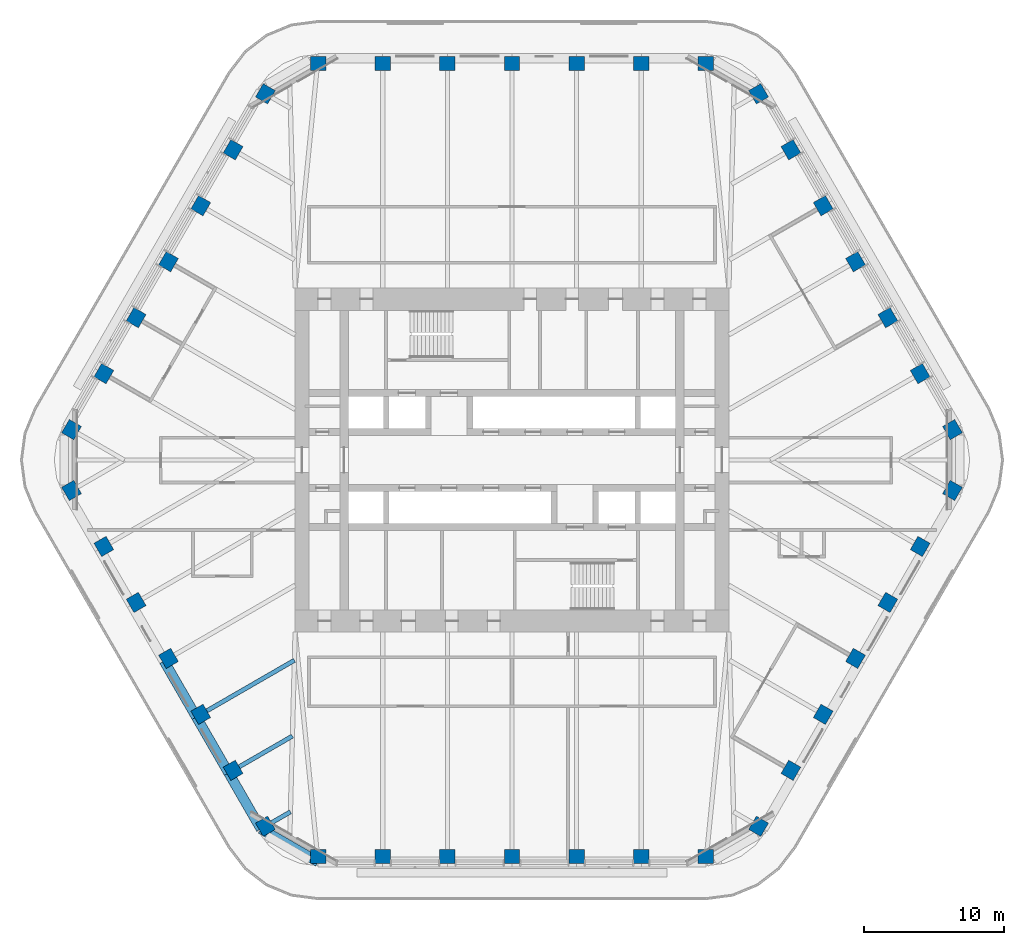
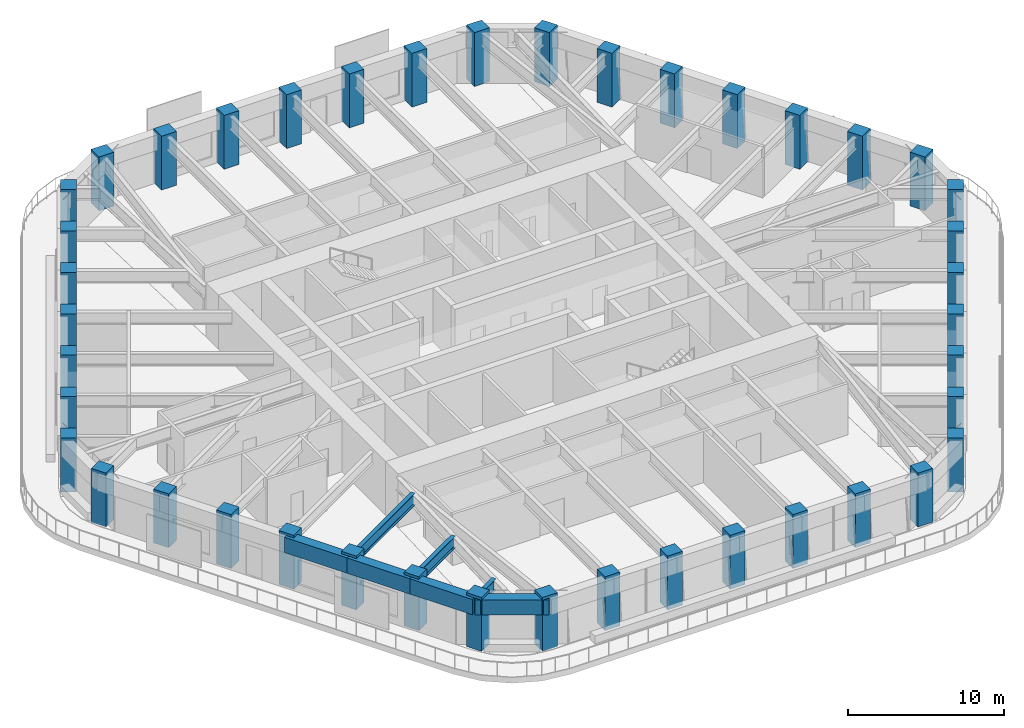
# One storey, part 1 of 20: 42 columns, 7 beams.
"""IFC4 building model written with IfcOpenShell, lengths in metres."""

from ifc_helpers import new_model, si_unit, direction, frame, origin, origin_2d, place, context, subcontext, project, spatial, rectangle, i_section, extrude, material, material_profile, profile_set, type_object, element, save


model = new_model("IFC4")

# Units and contexts
model_context = context("Model", 3, precision=1e-05, world=origin(), true_north=direction((0.0, 1.0)))
body_context = subcontext(model_context, "Body", "Model", "MODEL_VIEW")
ifc_project = project(units=[si_unit("LENGTHUNIT", "METRE"), si_unit("AREAUNIT", "SQUARE_METRE"), si_unit("VOLUMEUNIT", "CUBIC_METRE"), si_unit("PLANEANGLEUNIT", "RADIAN"), si_unit("MASSUNIT", "GRAM", prefix="KILO")], contexts=[model_context])

# Site, building, storey
site_placement = place(None, origin())
site = spatial("IfcSite", under=ifc_project, at=site_placement, CompositionType="ELEMENT")
building_placement = place(site_placement, origin())
building = spatial("IfcBuilding", under=site, at=building_placement, Name="Tarfa Lantern Tower", CompositionType="ELEMENT")
storey_placement = place(building_placement, frame((0.0, 0.0, 282.699951171875)))
storey = spatial("IfcBuildingStorey", under=building, at=storey_placement, Name="L64", CompositionType="ELEMENT", Elevation=282.699951171875)

# Columns
ifc_material_1 = material(Name="Concrete C80/95", Category="concrete")
ifc_material_profile_1 = material_profile(ifc_material_1, rectangle(XDim=1.10009765625, YDim=1.0, at=origin_2d()), Name="RC 1100x1000")
ifc_profile_set_1 = profile_set([ifc_material_profile_1], Name="Concrete C80/95")
column_type = type_object("IfcColumnType", Name="TC12 RC 1100x1000", PredefinedType="COLUMN", material=ifc_profile_set_1)
for number, where, z_axis, x_axis, name in (
    (1, (31.47998046875, 2.175048828125, 0.0), (0.0, 0.0, 1.0), (-0.5, 0.866025403784, 0.0), "Tube column NE0"),
    (2, (29.170654296875, 6.175048828125, 0.0), (0.0, 0.0, 1.0), (-0.5, 0.866025403784, 0.0), "Tube column NE1"),
    (3, (26.861328125, 10.175048828125, 0.0), (0.0, 0.0, 1.0), (-0.5, 0.866025403784, 0.0), "Tube column NE2"),
    (4, (24.5517578125, 14.175048828125, 0.0), (0.0, 0.0, 1.0), (-0.5, 0.866025403784, 0.0), "Tube column NE3"),
    (5, (22.242431640625, 18.175048828125, 0.0), (0.0, 0.0, 1.0), (-0.5, 0.866025403784, 0.0), "Tube column NE4"),
    (6, (19.93310546875, 22.175048828125, 0.0), (0.0, 0.0, 1.0), (-0.5, 0.866025403784, 0.0), "Tube column NE5"),
    (7, (17.62353515625, 26.175048828125, 0.0), (0.0, 0.0, 1.0), (-0.5, 0.866025403784, 0.0), "Tube column NE6"),
    (8, (13.8564453125, 28.35009765625, 0.0), (0.0, 0.0, 1.0), (-1.0, 0.0, 0.0), "Tube column N0"),
    (9, (9.237548828125, 28.35009765625, 0.0), (0.0, 0.0, 1.0), (-1.0, 0.0, 0.0), "Tube column N1"),
    (10, (4.618896484375, 28.35009765625, 0.0), (0.0, 0.0, 1.0), (-1.0, 0.0, 0.0), "Tube column N2"),
    (11, (0.0, 28.35009765625, 0.0), (0.0, 0.0, 1.0), (-1.0, 0.0, 0.0), "Tube column N3"),
    (12, (-4.618896484375, 28.35009765625, 0.0), (0.0, 0.0, 1.0), (-1.0, 0.0, 0.0), "Tube column N4"),
    (13, (-9.237548828125, 28.35009765625, 0.0), (0.0, 0.0, 1.0), (-1.0, 0.0, 0.0), "Tube column N5"),
    (14, (-13.8564453125, 28.35009765625, 0.0), (0.0, 0.0, 1.0), (-1.0, 0.0, 0.0), "Tube column N6"),
    (15, (-17.62353515625, 26.175048828125, 0.0), (0.0, 0.0, 1.0), (-0.5, -0.866025403784, 0.0), "Tube column NW0"),
    (16, (-19.93310546875, 22.175048828125, 0.0), (0.0, 0.0, 1.0), (-0.5, -0.866025403784, 0.0), "Tube column NW1"),
    (17, (-22.242431640625, 18.175048828125, 0.0), (0.0, 0.0, 1.0), (-0.5, -0.866025403784, 0.0), "Tube column NW2"),
    (18, (-24.5517578125, 14.175048828125, 0.0), (0.0, 0.0, 1.0), (-0.5, -0.866025403784, 0.0), "Tube column NW3"),
    (19, (-26.861328125, 10.175048828125, 0.0), (0.0, 0.0, 1.0), (-0.5, -0.866025403784, 0.0), "Tube column NW4"),
    (20, (-29.170654296875, 6.175048828125, 0.0), (0.0, 0.0, 1.0), (-0.5, -0.866025403784, 0.0), "Tube column NW5"),
    (21, (-31.47998046875, 2.175048828125, 0.0), (0.0, 0.0, 1.0), (-0.5, -0.866025403784, 0.0), "Tube column NW6"),
    (22, (-31.47998046875, -2.175048828125, 0.0), (0.0, 0.0, 1.0), (0.5, -0.866025403784, 0.0), "Tube column SW0"),
    (23, (-29.170654296875, -6.175048828125, 0.0), (0.0, 0.0, 1.0), (0.5, -0.866025403784, 0.0), "Tube column SW1"),
    (24, (-26.861328125, -10.175048828125, 0.0), (0.0, 0.0, 1.0), (0.5, -0.866025403784, 0.0), "Tube column SW2"),
    (25, (-24.5517578125, -14.175048828125, 0.0), (0.0, 0.0, 1.0), (0.5, -0.866025403784, 0.0), "Tube column SW3"),
    (26, (-22.242431640625, -18.175048828125, 0.0), (0.0, 0.0, 1.0), (0.5, -0.866025403784, 0.0), "Tube column SW4"),
    (27, (-19.93310546875, -22.175048828125, 0.0), (0.0, 0.0, 1.0), (0.5, -0.866025403784, 0.0), "Tube column SW5"),
    (28, (-17.62353515625, -26.175048828125, 0.0), (0.0, 0.0, 1.0), (0.5, -0.866025403784, 0.0), "Tube column SW6"),
    (29, (-13.8564453125, -28.35009765625, 0.0), (0.0, 0.0, 1.0), (1.0, 0.0, 0.0), "Tube column S0"),
    (30, (-9.237548828125, -28.35009765625, 0.0), (0.0, 0.0, 1.0), (1.0, 0.0, 0.0), "Tube column S1"),
    (31, (-4.618896484375, -28.35009765625, 0.0), (0.0, 0.0, 1.0), (1.0, 0.0, 0.0), "Tube column S2"),
    (32, (0.0, -28.35009765625, 0.0), (0.0, 0.0, 1.0), (1.0, 0.0, 0.0), "Tube column S3"),
    (33, (4.618896484375, -28.35009765625, 0.0), (0.0, 0.0, 1.0), (1.0, 0.0, 0.0), "Tube column S4"),
    (34, (9.237548828125, -28.35009765625, 0.0), (0.0, 0.0, 1.0), (1.0, 0.0, 0.0), "Tube column S5"),
    (35, (13.8564453125, -28.35009765625, 0.0), (0.0, 0.0, 1.0), (1.0, 0.0, 0.0), "Tube column S6"),
    (36, (17.62353515625, -26.175048828125, 0.0), (0.0, 0.0, 1.0), (0.5, 0.866025403784, 0.0), "Tube column SE0"),
    (37, (19.93310546875, -22.175048828125, 0.0), (0.0, 0.0, 1.0), (0.5, 0.866025403784, 0.0), "Tube column SE1"),
    (38, (22.242431640625, -18.175048828125, 0.0), (0.0, 0.0, 1.0), (0.5, 0.866025403784, 0.0), "Tube column SE2"),
    (39, (24.5517578125, -14.175048828125, 0.0), (0.0, 0.0, 1.0), (0.5, 0.866025403784, 0.0), "Tube column SE3"),
    (40, (26.861328125, -10.175048828125, 0.0), (0.0, 0.0, 1.0), (0.5, 0.866025403784, 0.0), "Tube column SE4"),
    (41, (29.170654296875, -6.175048828125, 0.0), (0.0, 0.0, 1.0), (0.5, 0.866025403784, 0.0), "Tube column SE5"),
    (42, (31.47998046875, -2.175048828125, 0.0), (0.0, 0.0, 1.0), (0.5, 0.866025403784, 0.0), "Tube column SE6"),
):
    element("IfcColumn", number, at=place(storey_placement, frame(where, z_axis=z_axis, x_axis=x_axis)), inside=storey, type_object=column_type, Name=name, PredefinedType="COLUMN", context=body_context, shape_type="SweptSolid", body=[
        extrude(rectangle(XDim=1.10009765625, YDim=1.0, at=origin_2d()), origin(), (0.0, 0.0, 1.0), 4.199951171875),
    ])

# Beams
ifc_material_profile_2 = material_profile(ifc_material_1, rectangle(XDim=0.699951171875, YDim=1.199951171875, at=origin_2d()), Name="RC 700x1200")
ifc_profile_set_2 = profile_set([ifc_material_profile_2], Name="Concrete C80/95")
beam_type_1 = type_object("IfcBeamType", Name="EB3 RC 700x1200", PredefinedType="SPANDREL", material=ifc_profile_set_2)
beam_1_placement = place(storey_placement, frame((-24.872314453125, -14.360107421875, 3.400146484375), z_axis=(0.500027479704, -0.866009537788, 0.0), x_axis=(0.866009537788, 0.500027479704, 0.0)))
element("IfcBeam", 43, at=beam_1_placement, inside=storey, type_object=beam_type_1, Name="Edge beam SW3", PredefinedType="SPANDREL", context=body_context, shape_type="SweptSolid", body=[
    extrude(rectangle(XDim=0.699951171875, YDim=1.199951171875, at=origin_2d()), origin(), (0.0, 0.0, 1.0), 4.618896484375),
])
for number, where, z_axis, x_axis, name in (
    (44, (-22.562744140625, -18.360107421875, 3.400146484375), (0.499987836815, -0.866032426089, 0.0), (0.866032426089, 0.499987836815, 0.0), "Edge beam SW4"),
    (45, (-20.25341796875, -22.360107421875, 3.400146484375), (0.499987836815, -0.866032426089, 0.0), (0.866032426089, 0.499987836815, 0.0), "Edge beam SW5"),
):
    element("IfcBeam", number, at=place(storey_placement, frame(where, z_axis=z_axis, x_axis=x_axis)), inside=storey, type_object=beam_type_1, Name=name, PredefinedType="SPANDREL", context=body_context, shape_type="SweptSolid", body=[
        extrude(rectangle(XDim=0.699951171875, YDim=1.199951171875, at=origin_2d()), origin(), (0.0, 0.0, 1.0), 4.61865234375),
    ])
beam_2_placement = place(storey_placement, frame((-17.944091796875, -26.360107421875, 3.400146484375), z_axis=(0.866038294681, -0.499977671647, 0.0), x_axis=(0.499977671647, 0.866038294681, 0.0)))
element("IfcBeam", 46, at=beam_2_placement, inside=storey, type_object=beam_type_1, Name="Edge beam SW6", PredefinedType="SPANDREL", context=body_context, shape_type="SweptSolid", body=[
    extrude(rectangle(XDim=0.699951171875, YDim=1.199951171875, at=origin_2d()), origin(), (0.0, 0.0, 1.0), 4.719970703125),
])
ifc_material_2 = material(Name="Steel S460M", Category="steel")
ifc_material_profile_3 = material_profile(ifc_material_2, i_section(OverallWidth=0.305419921875, OverallDepth=0.91845703125, WebThickness=0.017333984375, FlangeThickness=0.02783203125, FilletRadius=0.01904296875, at=origin_2d()), Name="UB914x305x253")
ifc_profile_set_3 = profile_set([ifc_material_profile_3], Name="Steel S460M")
beam_type_2 = type_object("IfcBeamType", Name="UB914x305x253", PredefinedType="BEAM", material=ifc_profile_set_3)
beam_3_placement = place(storey_placement, frame((-22.562744140625, -18.360107421875, 3.540771484375), z_axis=(0.866010787764, 0.500025314835, 0.0), x_axis=(-0.500025314835, 0.866010787764, 0.0)))
element("IfcBeam", 47, at=beam_3_placement, inside=storey, type_object=beam_type_2, Name="Floor beam SW4", PredefinedType="BEAM", context=body_context, shape_type="SweptSolid", body=[
    extrude(i_section(OverallWidth=0.305419921875, OverallDepth=0.91845703125, WebThickness=0.017333984375, FlangeThickness=0.02783203125, FilletRadius=0.01904296875, at=origin_2d()), origin(), (0.0, 0.0, 1.0), 8.09423828125),
])
beam_4_placement = place(storey_placement, frame((-20.25341796875, -22.360107421875, 3.540771484375), z_axis=(0.86601951648, 0.500010196972, 0.0), x_axis=(-0.500010196972, 0.86601951648, 0.0)))
element("IfcBeam", 48, at=beam_4_placement, inside=storey, type_object=beam_type_2, Name="Floor beam SW5", PredefinedType="BEAM", context=body_context, shape_type="SweptSolid", body=[
    extrude(i_section(OverallWidth=0.305419921875, OverallDepth=0.91845703125, WebThickness=0.017333984375, FlangeThickness=0.02783203125, FilletRadius=0.01904296875, at=origin_2d()), origin(), (0.0, 0.0, 1.0), 5.263671875),
])
beam_5_placement = place(storey_placement, frame((-17.944091796875, -26.360107421875, 3.540771484375), z_axis=(0.865980009423, 0.5000786171, 0.0), x_axis=(-0.5000786171, 0.865980009423, 0.0)))
element("IfcBeam", 49, at=beam_5_placement, inside=storey, type_object=beam_type_2, Name="Floor beam SW6", PredefinedType="BEAM", context=body_context, shape_type="SweptSolid", body=[
    extrude(i_section(OverallWidth=0.305419921875, OverallDepth=0.91845703125, WebThickness=0.017333984375, FlangeThickness=0.02783203125, FilletRadius=0.01904296875, at=origin_2d()), origin(), (0.0, 0.0, 1.0), 2.4326171875),
])

save(model, "model.ifc")
